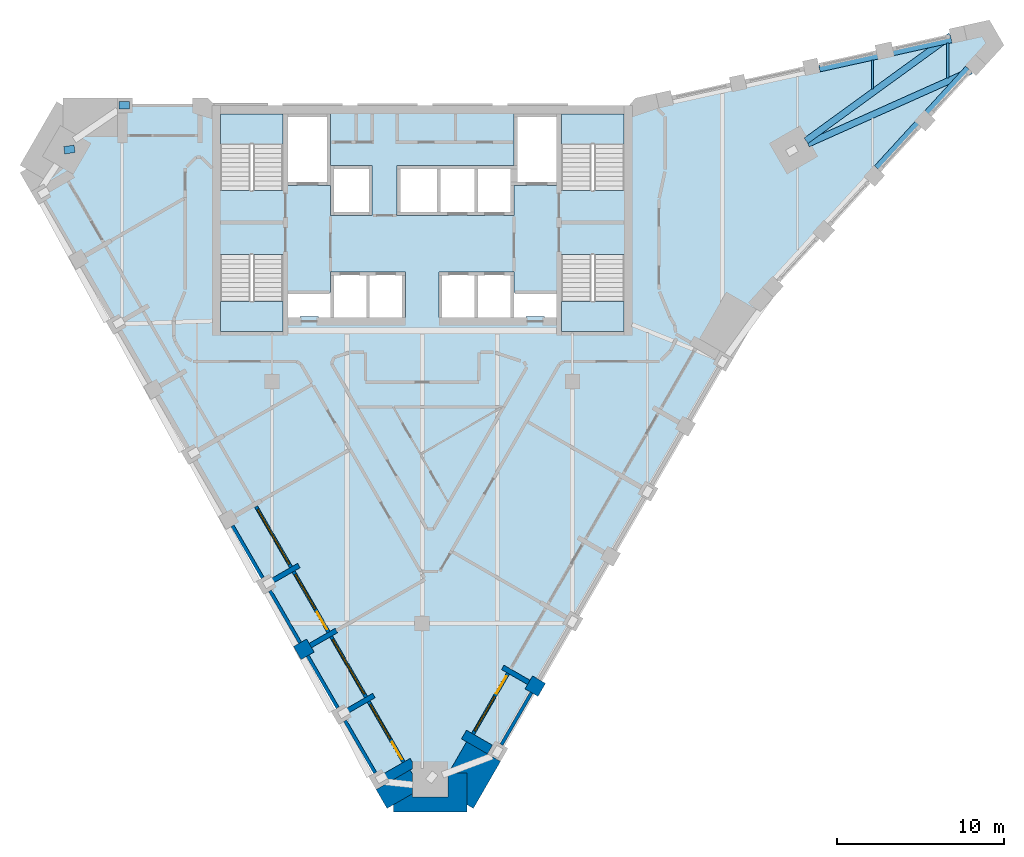
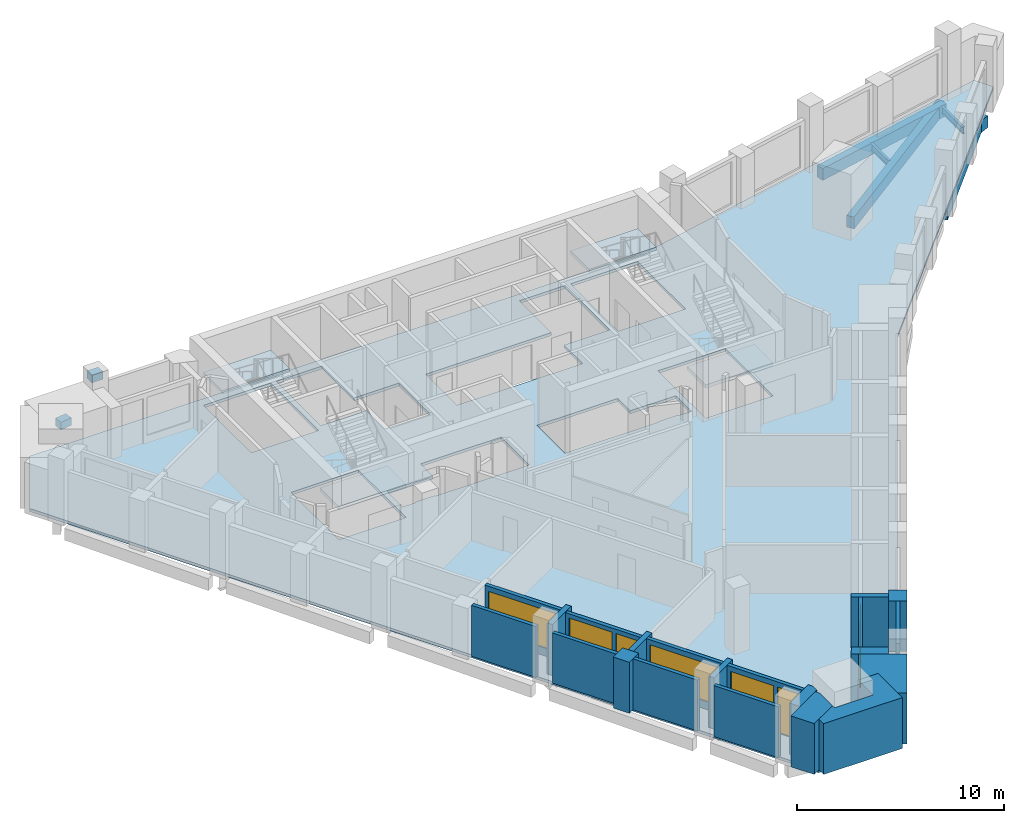
# One storey, part 2 of 8: 21 walls, 8 beams, 5 slabs, 5 windows, 3 doors, 8 openings, 4 elements without a shape of their own.
"""IFC4 building model written with IfcOpenShell, lengths in metres."""

from ifc_helpers import new_model, si_unit, direction, frame, frame_2d, origin, origin_2d, place, context, subcontext, project, spatial, polyline, rectangle, i_section, outline, extrude, material, layer, layer_set, material_profile, profile_set, type_object, element, fill, aggregate, save


model = new_model("IFC4")

# Units and contexts
model_context = context("Model", 3, precision=1e-05, world=origin(), true_north=direction((0.0, 1.0)))
body_context = subcontext(model_context, "Body", "Model", "MODEL_VIEW")
ifc_project = project(units=[si_unit("LENGTHUNIT", "METRE"), si_unit("AREAUNIT", "SQUARE_METRE"), si_unit("VOLUMEUNIT", "CUBIC_METRE"), si_unit("PLANEANGLEUNIT", "RADIAN"), si_unit("MASSUNIT", "GRAM", prefix="KILO")], contexts=[model_context])

# Site, building, storey
site_placement = place(None, origin())
site = spatial("IfcSite", under=ifc_project, at=site_placement, CompositionType="ELEMENT")
building_placement = place(site_placement, origin())
building = spatial("IfcBuilding", under=site, at=building_placement, Name="Calabash Gate Tower", CompositionType="ELEMENT")
storey_placement = place(building_placement, frame((0.0, 0.0, 275.5)))
storey = spatial("IfcBuildingStorey", under=building, at=storey_placement, Name="L66", CompositionType="ELEMENT", Elevation=275.5)

# Beams
ifc_material_1 = material(Name="Concrete C80/95", Category="concrete")
ifc_material_profile_1 = material_profile(ifc_material_1, rectangle(XDim=0.449951171875, YDim=0.449951171875, at=origin_2d()))
ifc_profile_set_1 = profile_set([ifc_material_profile_1], Name="Concrete C80/95")
beam_type_1 = type_object("IfcBeamType", Name="Column offset link RC 450x450 Concrete C80/95", PredefinedType="BEAM", material=ifc_profile_set_1)
beam_1_placement = place(storey_placement, frame((-21.462890625, 16.364013671875, 3.50390625), z_axis=(0.989667791871, 0.143379432744, 0.0), x_axis=(-0.143379432744, 0.989667791871, 0.0)))
element("IfcBeam", 1, at=beam_1_placement, inside=storey, type_object=beam_type_1, Name="Column offset link L66 NW", PredefinedType="BEAM", context=body_context, shape_type="SweptSolid", body=[
    extrude(rectangle(XDim=0.449951171875, YDim=0.449951171875, at=origin_2d()), origin(), (0.0, 0.0, 1.0), 0.62841796875),
])
beam_2_placement = place(storey_placement, frame((-18.174072265625, 19.052978515625, 3.50390625), z_axis=(1.0, 0.0, 0.0), x_axis=(0.0, 1.0, 0.0)))
element("IfcBeam", 2, at=beam_2_placement, inside=storey, type_object=beam_type_1, Name="Column offset link L66 P31", PredefinedType="BEAM", context=body_context, shape_type="SweptSolid", body=[
    extrude(rectangle(XDim=0.449951171875, YDim=0.449951171875, at=origin_2d()), origin(), (0.0, 0.0, 1.0), 0.630126953125),
])
ifc_material_2 = material(Name="Concrete C50/60", Category="concrete")
ifc_material_profile_2 = material_profile(ifc_material_2, rectangle(XDim=0.39990234375, YDim=0.699951171875, at=origin_2d()))
ifc_profile_set_2 = profile_set([ifc_material_profile_2], Name="Concrete C50/60")
beam_type_2 = type_object("IfcBeamType", Name="Edge beam RC 400x700 Concrete C50/60", PredefinedType="BEAM", material=ifc_profile_set_2)
beam_3_placement = place(storey_placement, frame((27.260009765625, 15.29296875, -0.52001953125), z_axis=(0.67486440312, 0.737941757459, 0.0), x_axis=(-0.737941757459, 0.67486440312, 0.0)))
element("IfcBeam", 3, at=beam_3_placement, inside=storey, type_object=beam_type_2, Name="Edge beam L66 11", PredefinedType="BEAM", context=body_context, shape_type="SweptSolid", body=[
    extrude(rectangle(XDim=0.39990234375, YDim=0.699951171875, at=origin_2d()), origin(), (0.0, 0.0, 1.0), 8.100830078125),
])
beam_4_placement = place(storey_placement, frame((32.902099609375, 21.126953125, -0.52001953125), z_axis=(-0.912877028573, -0.408234651522, 0.0), x_axis=(0.408234651522, -0.912877028573, 0.0)))
element("IfcBeam", 4, at=beam_4_placement, inside=storey, type_object=beam_type_2, Name="Edge beam L66 12", PredefinedType="BEAM", context=body_context, shape_type="SweptSolid", body=[
    extrude(rectangle(XDim=0.39990234375, YDim=0.699951171875, at=origin_2d()), origin(), (0.0, 0.0, 1.0), 10.714599609375),
])
beam_5_placement = place(storey_placement, frame((23.01611328125, 16.93408203125, -0.52001953125), z_axis=(0.809189056885, 0.587548355641, 0.0), x_axis=(-0.587548355641, 0.809189056885, 0.0)))
element("IfcBeam", 5, at=beam_5_placement, inside=storey, type_object=beam_type_2, Name="Edge beam L66 13", PredefinedType="BEAM", context=body_context, shape_type="SweptSolid", body=[
    extrude(rectangle(XDim=0.39990234375, YDim=0.699951171875, at=origin_2d()), origin(), (0.0, 0.0, 1.0), 10.715576171875),
])
beam_6_placement = place(storey_placement, frame((31.72705078125, 23.006103515625, -0.52001953125), z_axis=(-0.976492437334, -0.215551663945, 0.0), x_axis=(0.215551663945, -0.976492437334, 0.0)))
element("IfcBeam", 6, at=beam_6_placement, inside=storey, type_object=beam_type_2, Name="Edge beam L66 14", PredefinedType="BEAM", context=body_context, shape_type="SweptSolid", body=[
    extrude(rectangle(XDim=0.39990234375, YDim=0.699951171875, at=origin_2d()), origin(), (0.0, 0.0, 1.0), 8.1005859375),
])
ifc_material_3 = material(Name="Steel ASTM A992 Gr50", Category="steel")
ifc_material_profile_3 = material_profile(ifc_material_3, i_section(OverallWidth=0.1396484375, OverallDepth=0.398681640625, WebThickness=0.00634765625, FlangeThickness=0.0087890625, FilletRadius=0.01025390625, at=origin_2d()))
ifc_profile_set_3 = profile_set([ifc_material_profile_3], Name="Steel ASTM A992 Gr50")
beam_type_3 = type_object("IfcBeamType", Name="Floor beam W16x26 ASTM A992 Gr50", PredefinedType="BEAM", material=ifc_profile_set_3)
beam_7_placement = place(storey_placement, frame((27.0, 20.0419921875, -0.368896484375), z_axis=(0.0, 1.0, 0.0), x_axis=(-1.0, 0.0, 0.0)))
element("IfcBeam", 7, at=beam_7_placement, inside=storey, type_object=beam_type_3, Name="Floor beam L66 18", PredefinedType="BEAM", context=body_context, shape_type="SweptSolid", body=[
    extrude(i_section(OverallWidth=0.1396484375, OverallDepth=0.398681640625, WebThickness=0.00634765625, FlangeThickness=0.0087890625, FilletRadius=0.01025390625, at=origin_2d()), origin(), (0.0, 0.0, 1.0), 1.748046875),
])
beam_8_placement = place(storey_placement, frame((31.5, 20.696044921875, -0.368896484375), z_axis=(0.0, 1.0, 0.0), x_axis=(-1.0, 0.0, 0.0)))
element("IfcBeam", 8, at=beam_8_placement, inside=storey, type_object=beam_type_3, Name="Floor beam L66 19", PredefinedType="BEAM", context=body_context, shape_type="SweptSolid", body=[
    extrude(i_section(OverallWidth=0.1396484375, OverallDepth=0.398681640625, WebThickness=0.00634765625, FlangeThickness=0.0087890625, FilletRadius=0.01025390625, at=origin_2d()), origin(), (0.0, 0.0, 1.0), 2.0869140625),
])

# Slab
ifc_material_4 = material(Name="Concrete C40/50", Category="concrete")
ifc_layer_1 = layer(ifc_material_4, 0.169921875)
ifc_layer_set_1 = layer_set([ifc_layer_1], Name="Composite floor slab 170 Concrete C40/50")
slab_type_1 = type_object("IfcSlabType", Name="Composite floor slab 170 Concrete C40/50", PredefinedType="FLOOR", material=ifc_layer_set_1)
slab_1_placement = place(storey_placement, frame((0.0, 0.0, -0.169921875)))
element("IfcSlab", 9, at=slab_1_placement, inside=storey, type_object=slab_type_1, Name="Floor slab L66", PredefinedType="FLOOR", context=body_context, shape_type="SweptSolid", body=[
    extrude(outline(polyline([(-23.723388671875, 15.244140625), (-21.524658203125, 19.052490234375), (12.88134765625, 19.052490234375), (33.783935546875, 23.664794921875), (34.326904296875, 22.724365234375), (19.88134765625, 6.92822265625), (2.678466796875, -22.868408203125), (-1.718994140625, -22.868408203125), (-23.723388671875, 15.244140625)]), holes=[polyline([(-1.0, 9.052490234375), (-3.25, 9.052490234375), (-5.5, 9.052490234375), (-5.5, 7.8525390625), (-8.050048828125, 7.8525390625), (-8.050048828125, 6.3525390625), (-7.324951171875, 6.3525390625), (-7.324951171875, 6.402587890625), (-6.22509765625, 6.402587890625), (-6.22509765625, 6.3525390625), (-5.5, 6.3525390625), (-3.25, 6.3525390625), (-1.0, 6.3525390625), (-1.0, 9.052490234375)]), polyline([(3.25, 6.3525390625), (5.5, 6.3525390625), (6.22509765625, 6.3525390625), (6.22509765625, 6.402587890625), (7.324951171875, 6.402587890625), (7.324951171875, 6.3525390625), (8.050048828125, 6.3525390625), (8.050048828125, 7.8525390625), (5.5, 7.8525390625), (5.5, 9.052490234375), (3.25, 9.052490234375), (1.0, 9.052490234375), (1.0, 6.3525390625), (3.25, 6.3525390625)]), polyline([(-5.5, 14.252685546875), (-5.5, 12.45263671875), (-3.0, 12.45263671875), (-3.0, 15.45263671875), (-5.5, 15.45263671875), (-5.5, 18.552490234375), (-8.050048828125, 18.552490234375), (-8.050048828125, 14.252685546875), (-5.5, 14.252685546875)]), polyline([(1.0, 15.45263671875), (-1.5, 15.45263671875), (-1.5, 12.45263671875), (1.0, 12.45263671875), (3.25, 12.45263671875), (5.5, 12.45263671875), (5.5, 14.252685546875), (8.050048828125, 14.252685546875), (8.050048828125, 18.552490234375), (5.5, 18.552490234375), (5.5, 15.45263671875), (3.25, 15.45263671875), (1.0, 15.45263671875)]), polyline([(-8.35009765625, 18.552490234375), (-12.10009765625, 18.552490234375), (-12.10009765625, 13.95263671875), (-8.35009765625, 13.95263671875), (-8.35009765625, 18.552490234375)]), polyline([(-12.10009765625, 10.1025390625), (-12.10009765625, 5.502685546875), (-8.35009765625, 5.502685546875), (-8.35009765625, 10.1025390625), (-12.10009765625, 10.1025390625)]), polyline([(8.35009765625, 13.95263671875), (12.10009765625, 13.95263671875), (12.10009765625, 18.552490234375), (8.35009765625, 18.552490234375), (8.35009765625, 13.95263671875)]), polyline([(12.10009765625, 5.502685546875), (12.10009765625, 10.1025390625), (8.35009765625, 10.1025390625), (8.35009765625, 5.502685546875), (12.10009765625, 5.502685546875)])]), origin(), (0.0, 0.0, 1.0), 0.169921875),
])

# Stair, slab
ifc_material_5 = material(Name="Concrete C40/50", Category="concrete")
stair_type = type_object("IfcStairType", Name="Exit stair 22 risers of 177.3 mm", PredefinedType="HALF_TURN_STAIR", material=ifc_material_5)
stair_1_placement = place(storey_placement, origin())
stair_1 = element("IfcStair", 10, at=stair_1_placement, inside=storey, type_object=stair_type, Name="L66 Exit stair ST1", PredefinedType="HALF_TURN_STAIR")
ifc_material_6 = material(Name="Concrete C40/50", Category="concrete")
ifc_layer_2 = layer(ifc_material_6, 0.199951171875)
ifc_layer_set_2 = layer_set([ifc_layer_2], Name="Stair landing SL200")
slab_type_2 = type_object("IfcSlabType", Name="Stair landing SL200", PredefinedType="LANDING", material=ifc_layer_set_2)
slab_2_placement = place(storey_placement, frame((0.0, 0.0, 1.75)))
slab_2 = element("IfcSlab", 11, at=slab_2_placement, type_object=slab_type_2, Name="ST1 landing 1", PredefinedType="LANDING", context=body_context, shape_type="SweptSolid", body=[
    extrude(outline(polyline([(-8.35009765625, 16.74267578125), (-8.35009765625, 18.552490234375), (-12.10009765625, 18.552490234375), (-12.10009765625, 16.74267578125), (-8.35009765625, 16.74267578125)])), origin(), (0.0, 0.0, 1.0), 0.199951171875),
])
aggregate(stair_1, [slab_2])

stair_2_placement = place(storey_placement, origin())
stair_2 = element("IfcStair", 12, at=stair_2_placement, inside=storey, type_object=stair_type, Name="L66 Exit stair ST2", PredefinedType="HALF_TURN_STAIR")
slab_3_placement = place(storey_placement, frame((0.0, 0.0, 1.75)))
slab_3 = element("IfcSlab", 13, at=slab_3_placement, type_object=slab_type_2, Name="ST2 landing 1", PredefinedType="LANDING", context=body_context, shape_type="SweptSolid", body=[
    extrude(outline(polyline([(-12.10009765625, 7.3125), (-12.10009765625, 5.502685546875), (-8.35009765625, 5.502685546875), (-8.35009765625, 7.3125), (-12.10009765625, 7.3125)])), origin(), (0.0, 0.0, 1.0), 0.199951171875),
])
aggregate(stair_2, [slab_3])

stair_3_placement = place(storey_placement, origin())
stair_3 = element("IfcStair", 14, at=stair_3_placement, inside=storey, type_object=stair_type, Name="L66 Exit stair ST3", PredefinedType="HALF_TURN_STAIR")
slab_4_placement = place(storey_placement, frame((0.0, 0.0, 1.75)))
slab_4 = element("IfcSlab", 15, at=slab_4_placement, type_object=slab_type_2, Name="ST3 landing 1", PredefinedType="LANDING", context=body_context, shape_type="SweptSolid", body=[
    extrude(outline(polyline([(12.10009765625, 16.74267578125), (12.10009765625, 18.552490234375), (8.35009765625, 18.552490234375), (8.35009765625, 16.74267578125), (12.10009765625, 16.74267578125)])), origin(), (0.0, 0.0, 1.0), 0.199951171875),
])
aggregate(stair_3, [slab_4])

stair_4_placement = place(storey_placement, origin())
stair_4 = element("IfcStair", 16, at=stair_4_placement, inside=storey, type_object=stair_type, Name="L66 Exit stair ST4", PredefinedType="HALF_TURN_STAIR")
slab_5_placement = place(storey_placement, frame((0.0, 0.0, 1.75)))
slab_5 = element("IfcSlab", 17, at=slab_5_placement, type_object=slab_type_2, Name="ST4 landing 1", PredefinedType="LANDING", context=body_context, shape_type="SweptSolid", body=[
    extrude(outline(polyline([(8.35009765625, 7.3125), (8.35009765625, 5.502685546875), (12.10009765625, 5.502685546875), (12.10009765625, 7.3125), (8.35009765625, 7.3125)])), origin(), (0.0, 0.0, 1.0), 0.199951171875),
])
aggregate(stair_4, [slab_5])

# Walls
ifc_material_7 = material(Name="Terracotta brick masonry, exposed face", Category="masonry")
ifc_layer_3 = layer(ifc_material_7, 2.35009765625)
ifc_layer_set_3 = layer_set([ifc_layer_3], Name="Brick corner mass wall 2350")
wall_type_1 = type_object("IfcWallType", Name="Brick corner mass wall 2350", PredefinedType="SOLIDWALL", material=ifc_layer_set_3)
wall_1_placement = place(storey_placement, origin())
element("IfcWall", 18, at=wall_1_placement, inside=storey, type_object=wall_type_1, Name="Brick corner pier S19 1a", PredefinedType="SOLIDWALL", context=body_context, shape_type="SweptSolid", body=[
    extrude(outline(polyline([(-0.594970703125, -21.015380859375), (-0.725830078125, -20.788818359375), (-2.760986328125, -21.9638671875), (-2.10888671875, -23.09326171875), (-0.594970703125, -22.21923828125), (-0.594970703125, -21.015380859375)])), origin(), (0.0, 0.0, 1.0), 3.0),
])
wall_2_placement = place(storey_placement, origin())
element("IfcWall", 19, at=wall_2_placement, inside=storey, type_object=wall_type_1, Name="Brick corner pier S19 1b", PredefinedType="SOLIDWALL", context=body_context, shape_type="SweptSolid", body=[
    extrude(outline(polyline([(-0.594970703125, -22.4208984375), (-0.594970703125, -22.21923828125), (-1.718994140625, -22.868408203125), (-1.718994140625, -23.318359375), (2.678466796875, -23.318359375), (2.678466796875, -20.96826171875), (1.554931640625, -20.96826171875), (1.554931640625, -22.4208984375), (-0.594970703125, -22.4208984375)])), origin(), (0.0, 0.0, 1.0), 3.0),
])
wall_3_placement = place(storey_placement, origin())
element("IfcWall", 20, at=wall_3_placement, inside=storey, type_object=wall_type_1, Name="Brick corner pier S19 1c", PredefinedType="SOLIDWALL", context=body_context, shape_type="SweptSolid", body=[
    extrude(outline(polyline([(2.678466796875, -20.96826171875), (2.678466796875, -22.868408203125), (3.068115234375, -23.09326171875), (4.694580078125, -20.276123046875), (2.659423828125, -19.10107421875), (1.58154296875, -20.96826171875), (2.678466796875, -20.96826171875)])), origin(), (0.0, 0.0, 1.0), 3.0),
])
ifc_material_8 = material(Name="Terracotta brick masonry, exposed face", Category="masonry")
ifc_layer_4 = layer(ifc_material_8, 0.89990234375)
ifc_layer_set_4 = layer_set([ifc_layer_4], Name="Brick end wall 900")
wall_type_2 = type_object("IfcWallType", Name="Brick end wall 900", PredefinedType="SOLIDWALL", material=ifc_layer_set_4)
wall_4_placement = place(storey_placement, frame((-7.48583984375, -13.77978515625, 0.0), z_axis=(0.0, 0.0, 1.0), x_axis=(0.866013897511, 0.50001992892, 0.0)))
element("IfcWall", 21, at=wall_4_placement, inside=storey, type_object=wall_type_2, Name="Brick pier S19 SW0.7", PredefinedType="SOLIDWALL", context=body_context, shape_type="SweptSolid", body=[
    extrude(rectangle(XDim=0.89990234375, YDim=0.89990234375, at=frame_2d((0.449951171875, 0.0))), origin(), (0.0, 0.0, 1.0), 3.0),
])
wall_5_placement = place(storey_placement, frame((7.0048828125, -15.37451171875, 0.0), z_axis=(0.0, 0.0, 1.0), x_axis=(-0.499902469156, -0.866081705922, 0.0)))
element("IfcWall", 22, at=wall_5_placement, inside=storey, type_object=wall_type_2, Name="Brick pier S19 SE2.1", PredefinedType="SOLIDWALL", context=body_context, shape_type="SweptSolid", body=[
    extrude(rectangle(XDim=0.900146484375, YDim=0.89990234375, at=frame_2d((0.4501953125, 0.0))), origin(), (0.0, 0.0, 1.0), 3.0),
])
ifc_material_9 = material(Name="Terracotta brick masonry, exposed face", Category="masonry")
ifc_layer_5 = layer(ifc_material_9, 0.300048828125)
ifc_layer_set_5 = layer_set([ifc_layer_5], Name="Brick loggia cheek wall 300")
wall_type_3 = type_object("IfcWallType", Name="Brick loggia cheek wall 300", PredefinedType="SOLIDWALL", material=ifc_layer_set_5)
for number, where, z_axis, x_axis, name in (
    (23, (-8.95654296875, -9.4326171875, 0.0), (0.0, 0.0, 1.0), (0.866047807691, 0.499961193289, 0.0), "Loggia cheek S19 SW0.6"),
    (24, (-6.70654296875, -13.329833984375, 0.0), (0.0, 0.0, 1.0), (0.866047807691, 0.499961193289, 0.0), "Loggia cheek S19 SW0.7"),
):
    element("IfcWall", number, at=place(storey_placement, frame(where, z_axis=z_axis, x_axis=x_axis)), inside=storey, type_object=wall_type_3, Name=name, PredefinedType="SOLIDWALL", context=body_context, shape_type="SweptSolid", body=[
        extrude(rectangle(XDim=1.800048828125, YDim=0.300048828125, at=frame_2d((0.89990234375, 0.0))), origin(), (0.0, 0.0, 1.0), 3.0),
    ])
wall_6_placement = place(storey_placement, frame((-4.456298828125, -17.226806640625, 0.0), z_axis=(0.0, 0.0, 1.0), x_axis=(0.866013897511, 0.50001992892, 0.0)))
element("IfcWall", 25, at=wall_6_placement, inside=storey, type_object=wall_type_3, Name="Loggia cheek S19 SW0.8", PredefinedType="SOLIDWALL", context=body_context, shape_type="SweptSolid", body=[
    extrude(rectangle(XDim=1.7998046875, YDim=0.300048828125, at=frame_2d((0.89990234375, 0.0))), origin(), (0.0, 0.0, 1.0), 3.0),
])
wall_7_placement = place(storey_placement, origin())
element("IfcWall", 26, at=wall_7_placement, inside=storey, type_object=wall_type_3, Name="Loggia cheek S19 SW0.9", PredefinedType="SOLIDWALL", context=body_context, shape_type="SweptSolid", body=[
    extrude(outline(polyline([(-1.981201171875, -21.513671875), (-0.594970703125, -20.71337890625), (-0.594970703125, -20.3154296875), (-0.72265625, -20.09423828125), (-2.28125, -20.994140625), (-1.981201171875, -21.513671875)])), origin(), (0.0, 0.0, 1.0), 3.0),
])
wall_8_placement = place(storey_placement, frame((4.065185546875, -19.56640625, 0.0), z_axis=(0.0, 0.0, 1.0), x_axis=(-0.865989075817, 0.500062916607, 0.0)))
element("IfcWall", 27, at=wall_8_placement, inside=storey, type_object=wall_type_3, Name="Loggia cheek S19 SE2.0", PredefinedType="SOLIDWALL", context=body_context, shape_type="SweptSolid", body=[
    extrude(rectangle(XDim=1.800048828125, YDim=0.60009765625, at=frame_2d((0.89990234375, 0.0))), origin(), (0.0, 0.0, 1.0), 3.0),
])
wall_9_placement = place(storey_placement, frame((6.39013671875, -15.539306640625, 0.0), z_axis=(0.0, 0.0, 1.0), x_axis=(-0.866047807691, 0.499961193289, 0.0)))
element("IfcWall", 28, at=wall_9_placement, inside=storey, type_object=wall_type_3, Name="Loggia cheek S19 SE2.1", PredefinedType="SOLIDWALL", context=body_context, shape_type="SweptSolid", body=[
    extrude(rectangle(XDim=1.800048828125, YDim=0.300048828125, at=frame_2d((0.89990234375, 0.0))), origin(), (0.0, 0.0, 1.0), 3.0),
])
ifc_material_10 = material(Name="Terracotta brick masonry, perforated", Category="masonry")
ifc_layer_6 = layer(ifc_material_10, 0.199951171875)
ifc_layer_set_6 = layer_set([ifc_layer_6], Name="Terracotta jaali screen A")
wall_type_4 = type_object("IfcWallType", Name="Terracotta jaali screen A", PredefinedType="SOLIDWALL", material=ifc_layer_set_6)
wall_10_placement = place(storey_placement, frame((-11.371337890625, -6.150390625, 0.0), z_axis=(0.0, 0.0, 1.0), x_axis=(0.500012057535, -0.866018442252, 0.0)))
element("IfcWall", 29, at=wall_10_placement, inside=storey, type_object=wall_type_4, Name="SCREEN A S19 SW0.6", PredefinedType="SOLIDWALL", context=body_context, shape_type="SweptSolid", body=[
    extrude(rectangle(XDim=3.60009765625, YDim=0.199951171875, at=frame_2d((1.800048828125, 0.0))), origin(), (0.0, 0.0, 1.0), 3.0),
])
wall_11_placement = place(storey_placement, frame((-9.121337890625, -10.04736328125, 0.0), z_axis=(0.0, 0.0, 1.0), x_axis=(0.500012057535, -0.866018442252, 0.0)))
element("IfcWall", 30, at=wall_11_placement, inside=storey, type_object=wall_type_4, Name="SCREEN A S19 SW0.7", PredefinedType="SOLIDWALL", context=body_context, shape_type="SweptSolid", body=[
    extrude(rectangle(XDim=3.60009765625, YDim=0.199951171875, at=frame_2d((1.800048828125, 0.0))), origin(), (0.0, 0.0, 1.0), 2.9501953125),
])
for number, where, z_axis, x_axis, name in (
    (31, (-6.871337890625, -13.944580078125, 0.0), (0.0, 0.0, 1.0), (0.500012057535, -0.866018442252, 0.0), "SCREEN A S19 SW0.8"),
    (32, (-4.621337890625, -17.841796875, 0.0), (0.0, 0.0, 1.0), (0.500012057535, -0.866018442252, 0.0), "SCREEN A S19 SW0.9"),
    (33, (4.7548828125, -19.271728515625, 0.0), (0.0, 0.0, 1.0), (0.500012057535, 0.866018442252, 0.0), "SCREEN A S19 SE2.1"),
):
    element("IfcWall", number, at=place(storey_placement, frame(where, z_axis=z_axis, x_axis=x_axis)), inside=storey, type_object=wall_type_4, Name=name, PredefinedType="SOLIDWALL", context=body_context, shape_type="SweptSolid", body=[
        extrude(rectangle(XDim=3.60009765625, YDim=0.199951171875, at=frame_2d((1.800048828125, 0.0))), origin(), (0.0, 0.0, 1.0), 3.0),
    ])

# Wall, opening, window
ifc_material_11 = material(Name="Aluminium framed window wall with insulated spandrel", Category="aluminium")
ifc_layer_7 = layer(ifc_material_11, 0.199951171875)
ifc_layer_set_7 = layer_set([ifc_layer_7], Name="Window wall 200")
wall_type_5 = type_object("IfcWallType", Name="Window wall 200", PredefinedType="ELEMENTEDWALL", material=ifc_layer_set_7)
wall_12_placement = place(storey_placement, frame((-9.96240234375, -4.990478515625, 0.0), z_axis=(0.0, 0.0, 1.0), x_axis=(0.500002543286, -0.866023935413, 0.0)))
wall_12 = element("IfcWall", 34, at=wall_12_placement, inside=storey, type_object=wall_type_5, Name="Window wall S19 SW0.6", PredefinedType="ELEMENTEDWALL", context=body_context, shape_type="SweptSolid", body=[
    extrude(rectangle(XDim=4.2001953125, YDim=0.199951171875, at=frame_2d((2.10009765625, 0.0))), origin(), (0.0, 0.0, 1.0), 3.0),
])
opening_1_placement = place(wall_12_placement, frame((0.199951171875, 0.0, 0.449951171875)))
opening_1 = element("IfcOpeningElement", 35, at=opening_1_placement, cuts=wall_12, Name="Opening OW2", PredefinedType="OPENING", context=body_context, shape_type="SweptSolid", body=[
    extrude(rectangle(XDim=3.800048828125, YDim=2.25, at=frame_2d((1.89990234375, 1.125))), frame((0.0, 0.10986328125, 0.0), z_axis=(0.0, -1.0, 0.0), x_axis=(1.0, 0.0, 0.0)), (0.0, 0.0, 1.0), 0.219970703125),
])
ifc_material_12 = material(Name="Anodised aluminium frame, bronze finish, impact-rated laminated clear glazing", Category="aluminium")
window_type_1 = type_object("IfcWindowType", Name="Window OW2 3800x2250", PartitioningType="TRIPLE_PANEL_VERTICAL", PredefinedType="WINDOW", material=ifc_material_12)
window_1_placement = place(opening_1_placement, origin())
window_1 = element("IfcWindow", 36, at=window_1_placement, inside=storey, type_object=window_type_1, Name="Window OW2 S19 SW0.6", OverallHeight=2.25, OverallWidth=3.800048828125, PartitioningType="SINGLE_PANEL", PredefinedType="WINDOW", context=body_context, shape_type="SweptSolid", body=[
    extrude(rectangle(XDim=3.800048828125, YDim=2.25, at=frame_2d((1.89990234375, 1.125))), frame((0.0, 0.030029296875, 0.0), z_axis=(0.0, -1.0, 0.0), x_axis=(1.0, 0.0, 0.0)), (0.0, 0.0, 1.0), 0.06005859375),
])
fill(opening_1, window_1)

# Wall, openings, door, window
wall_13_placement = place(storey_placement, frame((-7.71240234375, -8.8876953125, 0.0), z_axis=(0.0, 0.0, 1.0), x_axis=(0.500027713859, -0.866009402589, 0.0)))
wall_13 = element("IfcWall", 37, at=wall_13_placement, inside=storey, type_object=wall_type_5, Name="Window wall S19 SW0.7", PredefinedType="ELEMENTEDWALL", context=body_context, shape_type="SweptSolid", body=[
    extrude(rectangle(XDim=4.199951171875, YDim=0.199951171875, at=frame_2d((2.10009765625, 0.0))), origin(), (0.0, 0.0, 1.0), 2.9501953125),
])
opening_2_placement = place(wall_13_placement, frame((0.199951171875, 0.0, 0.449951171875)))
opening_2 = element("IfcOpeningElement", 38, at=opening_2_placement, cuts=wall_13, Name="Opening OW1", PredefinedType="OPENING", context=body_context, shape_type="SweptSolid", body=[
    extrude(rectangle(XDim=2.39990234375, YDim=2.25, at=frame_2d((1.199951171875, 1.125))), frame((0.0, 0.10986328125, 0.0), z_axis=(0.0, -1.0, 0.0), x_axis=(1.0, 0.0, 0.0)), (0.0, 0.0, 1.0), 0.219970703125),
])
opening_3_placement = place(wall_13_placement, frame((2.800048828125, 0.0, 0.0)))
opening_3 = element("IfcOpeningElement", 39, at=opening_3_placement, cuts=wall_13, Name="Opening O11-019", PredefinedType="OPENING", context=body_context, shape_type="SweptSolid", body=[
    extrude(rectangle(XDim=1.199951171875, YDim=2.699951171875, at=frame_2d((0.60009765625, 1.35009765625))), frame((0.0, 0.10986328125, 0.0), z_axis=(0.0, -1.0, 0.0), x_axis=(1.0, 0.0, 0.0)), (0.0, 0.0, 1.0), 0.219970703125),
])
ifc_material_13 = material(Name="Anodised aluminium frame, bronze finish, impact-rated laminated clear glazing", Category="aluminium")
door_type = type_object("IfcDoorType", Name="Loggia door DO1 1200x2700", OperationType="SLIDING_TO_LEFT", PredefinedType="DOOR", material=ifc_material_13)
door_1_placement = place(opening_3_placement, origin())
door_1 = element("IfcDoor", 40, at=door_1_placement, inside=storey, type_object=door_type, Name="Loggia door S19 SW0.7", OperationType="SINGLE_SWING_LEFT", OverallHeight=2.699951171875, OverallWidth=1.199951171875, PredefinedType="DOOR", context=body_context, shape_type="SweptSolid", body=[
    extrude(rectangle(XDim=1.199951171875, YDim=2.699951171875, at=frame_2d((0.60009765625, 1.35009765625))), frame((0.0, 0.02490234375, 0.0), z_axis=(0.0, -1.0, 0.0), x_axis=(1.0, 0.0, 0.0)), (0.0, 0.0, 1.0), 0.050048828125),
])
fill(opening_3, door_1)
ifc_material_14 = material(Name="Anodised aluminium frame, bronze finish, impact-rated laminated clear glazing", Category="aluminium")
window_type_2 = type_object("IfcWindowType", Name="Window OW1 2400x2250", PartitioningType="DOUBLE_PANEL_VERTICAL", PredefinedType="WINDOW", material=ifc_material_14)
window_2_placement = place(opening_2_placement, origin())
window_2 = element("IfcWindow", 41, at=window_2_placement, inside=storey, type_object=window_type_2, Name="Window OW1 S19 SW0.7", OverallHeight=2.25, OverallWidth=2.39990234375, PartitioningType="SINGLE_PANEL", PredefinedType="WINDOW", context=body_context, shape_type="SweptSolid", body=[
    extrude(rectangle(XDim=2.39990234375, YDim=2.25, at=frame_2d((1.199951171875, 1.125))), frame((0.0, 0.030029296875, 0.0), z_axis=(0.0, -1.0, 0.0), x_axis=(1.0, 0.0, 0.0)), (0.0, 0.0, 1.0), 0.06005859375),
])
fill(opening_2, window_2)

# Wall, opening, window
wall_14_placement = place(storey_placement, frame((-5.46240234375, -12.78466796875, 0.0), z_axis=(0.0, 0.0, 1.0), x_axis=(0.500002543286, -0.866023935413, 0.0)))
wall_14 = element("IfcWall", 42, at=wall_14_placement, inside=storey, type_object=wall_type_5, Name="Window wall S19 SW0.8", PredefinedType="ELEMENTEDWALL", context=body_context, shape_type="SweptSolid", body=[
    extrude(rectangle(XDim=4.2001953125, YDim=0.199951171875, at=frame_2d((2.10009765625, 0.0))), origin(), (0.0, 0.0, 1.0), 3.0),
])
opening_4_placement = place(wall_14_placement, frame((0.199951171875, 0.0, 0.449951171875)))
opening_4 = element("IfcOpeningElement", 43, at=opening_4_placement, cuts=wall_14, Name="Opening OW2", PredefinedType="OPENING", context=body_context, shape_type="SweptSolid", body=[
    extrude(rectangle(XDim=3.800048828125, YDim=2.25, at=frame_2d((1.89990234375, 1.125))), frame((0.0, 0.10986328125, 0.0), z_axis=(0.0, -1.0, 0.0), x_axis=(1.0, 0.0, 0.0)), (0.0, 0.0, 1.0), 0.219970703125),
])
window_3_placement = place(opening_4_placement, origin())
window_3 = element("IfcWindow", 44, at=window_3_placement, inside=storey, type_object=window_type_1, Name="Window OW2 S19 SW0.8", OverallHeight=2.25, OverallWidth=3.800048828125, PartitioningType="SINGLE_PANEL", PredefinedType="WINDOW", context=body_context, shape_type="SweptSolid", body=[
    extrude(rectangle(XDim=3.800048828125, YDim=2.25, at=frame_2d((1.89990234375, 1.125))), frame((0.0, 0.030029296875, 0.0), z_axis=(0.0, -1.0, 0.0), x_axis=(1.0, 0.0, 0.0)), (0.0, 0.0, 1.0), 0.06005859375),
])
fill(opening_4, window_3)

# Wall, openings, door, window
wall_15_placement = place(storey_placement, frame((-3.21240234375, -16.681884765625, 0.0), z_axis=(0.0, 0.0, 1.0), x_axis=(0.500027713859, -0.866009402589, 0.0)))
wall_15 = element("IfcWall", 45, at=wall_15_placement, inside=storey, type_object=wall_type_5, Name="Window wall S19 SW0.9", PredefinedType="ELEMENTEDWALL", context=body_context, shape_type="SweptSolid", body=[
    extrude(rectangle(XDim=4.199951171875, YDim=0.199951171875, at=frame_2d((2.10009765625, 0.0))), origin(), (0.0, 0.0, 1.0), 3.0),
])
opening_5_placement = place(wall_15_placement, frame((0.199951171875, 0.0, 0.449951171875)))
opening_5 = element("IfcOpeningElement", 46, at=opening_5_placement, cuts=wall_15, Name="Opening OW1", PredefinedType="OPENING", context=body_context, shape_type="SweptSolid", body=[
    extrude(rectangle(XDim=2.39990234375, YDim=2.25, at=frame_2d((1.199951171875, 1.125))), frame((0.0, 0.10986328125, 0.0), z_axis=(0.0, -1.0, 0.0), x_axis=(1.0, 0.0, 0.0)), (0.0, 0.0, 1.0), 0.219970703125),
])
opening_6_placement = place(wall_15_placement, frame((2.800048828125, 0.0, 0.0)))
opening_6 = element("IfcOpeningElement", 47, at=opening_6_placement, cuts=wall_15, Name="Opening O11-020", PredefinedType="OPENING", context=body_context, shape_type="SweptSolid", body=[
    extrude(rectangle(XDim=1.199951171875, YDim=2.699951171875, at=frame_2d((0.60009765625, 1.35009765625))), frame((0.0, 0.10986328125, 0.0), z_axis=(0.0, -1.0, 0.0), x_axis=(1.0, 0.0, 0.0)), (0.0, 0.0, 1.0), 0.219970703125),
])
door_2_placement = place(opening_6_placement, origin())
door_2 = element("IfcDoor", 48, at=door_2_placement, inside=storey, type_object=door_type, Name="Loggia door S19 SW0.9", OperationType="SINGLE_SWING_LEFT", OverallHeight=2.699951171875, OverallWidth=1.199951171875, PredefinedType="DOOR", context=body_context, shape_type="SweptSolid", body=[
    extrude(rectangle(XDim=1.199951171875, YDim=2.699951171875, at=frame_2d((0.60009765625, 1.35009765625))), frame((0.0, 0.02490234375, 0.0), z_axis=(0.0, -1.0, 0.0), x_axis=(1.0, 0.0, 0.0)), (0.0, 0.0, 1.0), 0.050048828125),
])
fill(opening_6, door_2)
window_4_placement = place(opening_5_placement, origin())
window_4 = element("IfcWindow", 49, at=window_4_placement, inside=storey, type_object=window_type_2, Name="Window OW1 S19 SW0.9", OverallHeight=2.25, OverallWidth=2.39990234375, PartitioningType="SINGLE_PANEL", PredefinedType="WINDOW", context=body_context, shape_type="SweptSolid", body=[
    extrude(rectangle(XDim=2.39990234375, YDim=2.25, at=frame_2d((1.199951171875, 1.125))), frame((0.0, 0.030029296875, 0.0), z_axis=(0.0, -1.0, 0.0), x_axis=(1.0, 0.0, 0.0)), (0.0, 0.0, 1.0), 0.06005859375),
])
fill(opening_5, window_4)

wall_16_placement = place(storey_placement, frame((3.046142578125, -18.631591796875, 0.0), z_axis=(0.0, 0.0, 1.0), x_axis=(0.499958946799, 0.866049104564, 0.0)))
wall_16 = element("IfcWall", 50, at=wall_16_placement, inside=storey, type_object=wall_type_5, Name="Window wall S19 SE2.1", PredefinedType="ELEMENTEDWALL", context=body_context, shape_type="SweptSolid", body=[
    extrude(rectangle(XDim=4.199951171875, YDim=0.199951171875, at=frame_2d((2.10009765625, 0.0))), origin(), (0.0, 0.0, 1.0), 3.0),
])
opening_7_placement = place(wall_16_placement, frame((0.199951171875, 0.0, 0.449951171875)))
opening_7 = element("IfcOpeningElement", 51, at=opening_7_placement, cuts=wall_16, Name="Opening OW1", PredefinedType="OPENING", context=body_context, shape_type="SweptSolid", body=[
    extrude(rectangle(XDim=2.39990234375, YDim=2.25, at=frame_2d((1.199951171875, 1.125))), frame((0.0, 0.10986328125, 0.0), z_axis=(0.0, -1.0, 0.0), x_axis=(1.0, 0.0, 0.0)), (0.0, 0.0, 1.0), 0.219970703125),
])
opening_8_placement = place(wall_16_placement, frame((2.800048828125, 0.0, 0.0)))
opening_8 = element("IfcOpeningElement", 52, at=opening_8_placement, cuts=wall_16, Name="Opening O11-015", PredefinedType="OPENING", context=body_context, shape_type="SweptSolid", body=[
    extrude(rectangle(XDim=1.199951171875, YDim=2.699951171875, at=frame_2d((0.60009765625, 1.35009765625))), frame((0.0, 0.10986328125, 0.0), z_axis=(0.0, -1.0, 0.0), x_axis=(1.0, 0.0, 0.0)), (0.0, 0.0, 1.0), 0.219970703125),
])
door_3_placement = place(opening_8_placement, origin())
door_3 = element("IfcDoor", 53, at=door_3_placement, inside=storey, type_object=door_type, Name="Loggia door S19 SE2.1", OperationType="SINGLE_SWING_LEFT", OverallHeight=2.699951171875, OverallWidth=1.199951171875, PredefinedType="DOOR", context=body_context, shape_type="SweptSolid", body=[
    extrude(rectangle(XDim=1.199951171875, YDim=2.699951171875, at=frame_2d((0.60009765625, 1.35009765625))), frame((0.0, 0.02490234375, 0.0), z_axis=(0.0, -1.0, 0.0), x_axis=(1.0, 0.0, 0.0)), (0.0, 0.0, 1.0), 0.050048828125),
])
fill(opening_8, door_3)
window_5_placement = place(opening_7_placement, origin())
window_5 = element("IfcWindow", 54, at=window_5_placement, inside=storey, type_object=window_type_2, Name="Window OW1 S19 SE2.1", OverallHeight=2.25, OverallWidth=2.39990234375, PartitioningType="SINGLE_PANEL", PredefinedType="WINDOW", context=body_context, shape_type="SweptSolid", body=[
    extrude(rectangle(XDim=2.39990234375, YDim=2.25, at=frame_2d((1.199951171875, 1.125))), frame((0.0, 0.030029296875, 0.0), z_axis=(0.0, -1.0, 0.0), x_axis=(1.0, 0.0, 0.0)), (0.0, 0.0, 1.0), 0.06005859375),
])
fill(opening_7, window_5)

save(model, "model.ifc")
